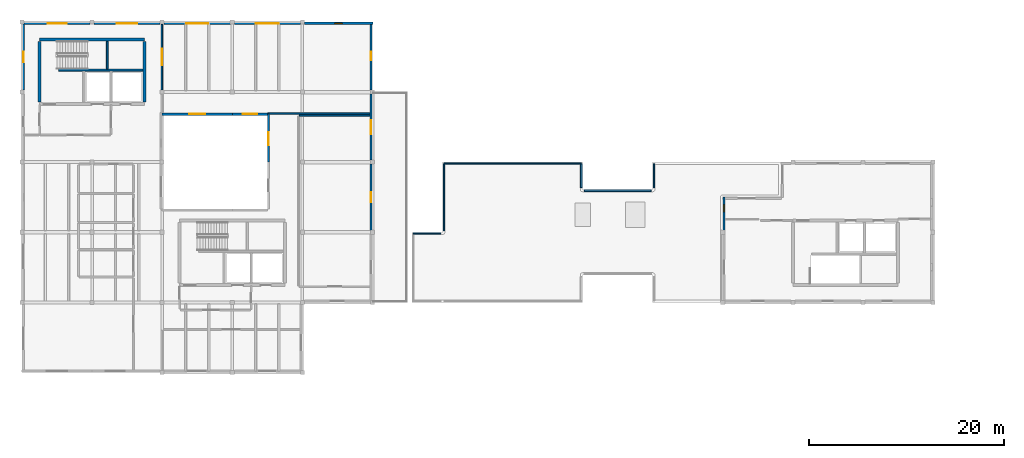
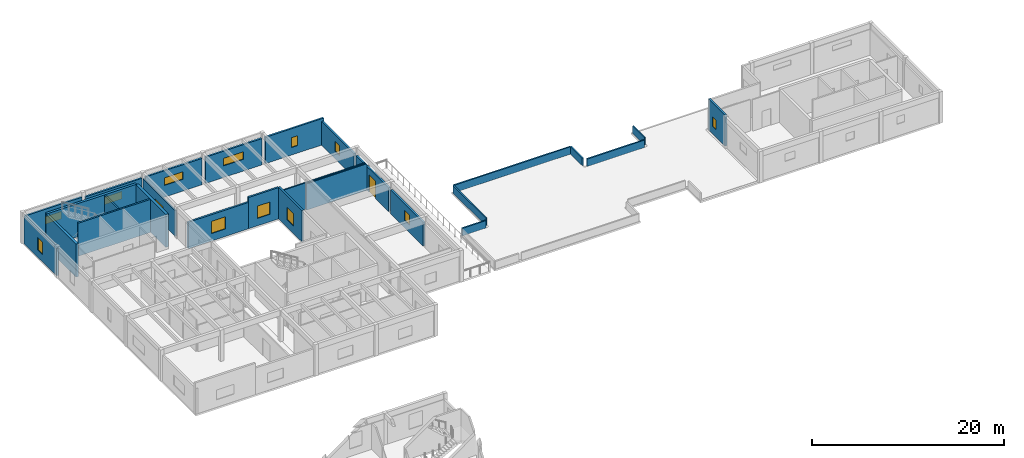
# One storey, part 9 of 15: 27 walls, 12 windows, 2 doors, 14 openings.
"""IFC4 building model written with IfcOpenShell, lengths in metres."""

from ifc_helpers import new_model, si_unit, direction, frame, frame_2d, origin, place, context, subcontext, project, spatial, rectangle, extrude, material, layer, layer_set, type_object, element, fill, save


model = new_model("IFC4")

# Units and contexts
model_context = context("Model", 3, precision=1e-05, world=origin(), true_north=direction((0.0, 1.0)))
body_context = subcontext(model_context, "Body", "Model", "MODEL_VIEW")
ifc_project = project(units=[si_unit("LENGTHUNIT", "METRE"), si_unit("AREAUNIT", "SQUARE_METRE"), si_unit("VOLUMEUNIT", "CUBIC_METRE"), si_unit("PLANEANGLEUNIT", "RADIAN"), si_unit("MASSUNIT", "GRAM", prefix="KILO")], contexts=[model_context])

# Site, building, storey
site_placement = place(None, origin())
site = spatial("IfcSite", under=ifc_project, at=site_placement, CompositionType="ELEMENT")
building_placement = place(site_placement, origin())
building = spatial("IfcBuilding", under=site, at=building_placement, Name="Bramvelor Terrace Health Centre", CompositionType="ELEMENT")
storey_placement = place(building_placement, frame((0.0, 0.0, 13.5)))
storey = spatial("IfcBuildingStorey", under=building, at=storey_placement, Name="L04", CompositionType="ELEMENT", Elevation=13.5)

# Walls
ifc_material_1 = material(Name="Concrete C40/50", Category="concrete")
ifc_layer_1 = layer(ifc_material_1, 0.199951171875)
ifc_layer_set_1 = layer_set([ifc_layer_1], Name="Concrete C40/50")
wall_type_1 = type_object("IfcWallType", Name="WL-CORE-200", PredefinedType="SHEAR", material=ifc_layer_set_1)
wall_1_placement = place(storey_placement, frame((3.75, 110.25, 0.0), z_axis=(0.0, 0.0, 1.0), x_axis=(1.0, 0.0, 0.0)))
element("IfcWall", 1, at=wall_1_placement, inside=storey, type_object=wall_type_1, Name="C1 L04 Core Shear Wall", PredefinedType="SHEAR", context=body_context, shape_type="SweptSolid", body=[
    extrude(rectangle(XDim=8.669921875, YDim=0.199951171875, at=frame_2d((4.3349609375, 0.0))), origin(), (0.0, 0.0, 1.0), 4.199951171875),
])
wall_2_placement = place(storey_placement, frame((8.7548828125, 110.3701171875, 0.0), z_axis=(0.0, 0.0, 1.0), x_axis=(0.0, 1.0, 0.0)))
element("IfcWall", 2, at=wall_2_placement, inside=storey, type_object=wall_type_1, Name="C1 L04 Core Shear Wall", PredefinedType="SHEAR", context=body_context, shape_type="SweptSolid", body=[
    extrude(rectangle(XDim=2.849853515625, YDim=0.199951171875, at=frame_2d((1.4248046875, 0.0))), origin(), (0.0, 0.0, 1.0), 4.199951171875),
])
ifc_material_2 = material(Name="Concrete C40/50", Category="concrete")
ifc_layer_2 = layer(ifc_material_2, 0.300048828125)
ifc_layer_set_2 = layer_set([ifc_layer_2], Name="Concrete C40/50")
wall_type_2 = type_object("IfcWallType", Name="WL-CORE-300", PredefinedType="SHEAR", material=ifc_layer_set_2)
wall_3_placement = place(storey_placement, frame((1.800048828125, 113.39990234375, 0.0), z_axis=(0.0, 0.0, 1.0), x_axis=(1.0, 0.0, 0.0)))
element("IfcWall", 3, at=wall_3_placement, inside=storey, type_object=wall_type_2, Name="C1 L04 Core Shear Wall", PredefinedType="SHEAR", context=body_context, shape_type="SweptSolid", body=[
    extrude(rectangle(XDim=10.800048828125, YDim=0.300048828125, at=frame_2d((5.39990234375, 0.0))), origin(), (0.0, 0.0, 1.0), 4.199951171875),
])
for number, where, z_axis, x_axis, name in (
    (4, (1.800048828125, 106.97998046875, 0.0), (0.0, 0.0, 1.0), (0.0, 1.0, 0.0), "C1 L04 Core Shear Wall"),
    (5, (12.60009765625, 106.97998046875, 0.0), (0.0, 0.0, 1.0), (0.0, 1.0, 0.0), "C1 L04 Core Shear Wall"),
):
    element("IfcWall", number, at=place(storey_placement, frame(where, z_axis=z_axis, x_axis=x_axis)), inside=storey, type_object=wall_type_2, Name=name, PredefinedType="SHEAR", context=body_context, shape_type="SweptSolid", body=[
        extrude(rectangle(XDim=6.239990234375, YDim=0.300048828125, at=frame_2d((3.1201171875, 0.0))), origin(), (0.0, 0.0, 1.0), 4.199951171875),
    ])

# Wall, opening, window
ifc_material_3 = material(Name="Cross-laminated timber C24", Category="wood")
ifc_layer_3 = layer(ifc_material_3, 0.219970703125)
ifc_layer_set_3 = layer_set([ifc_layer_3], Name="Cross-laminated timber C24")
wall_type_3 = type_object("IfcWallType", Name="WL-EXT-CLT220", PredefinedType="SOLIDWALL", material=ifc_layer_set_3)
wall_4_placement = place(storey_placement, frame((72.1298828125, 93.804931640625, 0.0), z_axis=(0.0, 0.0, 1.0), x_axis=(0.0, 1.0, 0.0)))
wall_4 = element("IfcWall", 6, at=wall_4_placement, inside=storey, type_object=wall_type_3, Name="L04 Exterior Facade Wall 27", PredefinedType="SOLIDWALL", context=body_context, shape_type="SweptSolid", body=[
    extrude(rectangle(XDim=3.4150390625, YDim=0.219970703125, at=frame_2d((1.70751953125, 0.0))), origin(), (0.0, 0.0, 1.0), 3.969970703125),
])
opening_1_placement = place(wall_4_placement, frame((1.882568359375, 0.0, 0.949951171875)))
opening_1 = element("IfcOpeningElement", 7, at=opening_1_placement, cuts=wall_4, Name="Opening WN-25", PredefinedType="OPENING", context=body_context, shape_type="SweptSolid", body=[
    extrude(rectangle(XDim=0.75, YDim=1.25, at=frame_2d((0.375, 0.625))), frame((0.0, 0.119873046875, 0.0), z_axis=(0.0, -1.0, 0.0), x_axis=(1.0, 0.0, 0.0)), (0.0, 0.0, 1.0), 0.239990234375),
])
ifc_material_4 = material(Name="Double low-E laminated glass", Category="glass")
window_type_1 = type_object("IfcWindowType", Name="WIN-EXT-25", PartitioningType="SINGLE_PANEL", PredefinedType="WINDOW", material=ifc_material_4)
window_1_placement = place(opening_1_placement, origin())
window_1 = element("IfcWindow", 8, at=window_1_placement, inside=storey, type_object=window_type_1, Name="L04 Scheduled Clinical Window 198", OverallHeight=1.25, OverallWidth=0.75, PartitioningType="SINGLE_PANEL", PredefinedType="WINDOW", context=body_context, shape_type="SweptSolid", body=[
    extrude(rectangle(XDim=0.75, YDim=1.25, at=frame_2d((0.375, 0.625))), frame((0.0, 0.030029296875, 0.0), z_axis=(0.0, -1.0, 0.0), x_axis=(1.0, 0.0, 0.0)), (0.0, 0.0, 1.0), 0.06005859375),
])
fill(opening_1, window_1)

wall_5_placement = place(storey_placement, frame((0.205078125, 115.070068359375, 0.0), z_axis=(0.0, 0.0, 1.0), x_axis=(1.0, 0.0, 0.0)))
wall_5 = element("IfcWall", 9, at=wall_5_placement, inside=storey, type_object=wall_type_3, Name="L04 Exterior Facade Wall 30", PredefinedType="SOLIDWALL", context=body_context, shape_type="SweptSolid", body=[
    extrude(rectangle(XDim=6.7900390625, YDim=0.219970703125, at=frame_2d((3.39501953125, 0.0))), origin(), (0.0, 0.0, 1.0), 3.469970703125),
])
opening_2_placement = place(wall_5_placement, frame((2.419921875, 0.0, 1.5)))
opening_2 = element("IfcOpeningElement", 10, at=opening_2_placement, cuts=wall_5, Name="Opening WN-21", PredefinedType="OPENING", context=body_context, shape_type="SweptSolid", body=[
    extrude(rectangle(XDim=1.949951171875, YDim=0.949951171875, at=frame_2d((0.97509765625, 0.47509765625))), frame((0.0, 0.119873046875, 0.0), z_axis=(0.0, -1.0, 0.0), x_axis=(1.0, 0.0, 0.0)), (0.0, 0.0, 1.0), 0.239990234375),
])
ifc_material_5 = material(Name="Double low-E laminated glass", Category="glass")
window_type_2 = type_object("IfcWindowType", Name="WIN-EXT-21", PartitioningType="SINGLE_PANEL", PredefinedType="WINDOW", material=ifc_material_5)
window_2_placement = place(opening_2_placement, origin())
window_2 = element("IfcWindow", 11, at=window_2_placement, inside=storey, type_object=window_type_2, Name="L04 Scheduled Clinical Window 201", OverallHeight=0.949951171875, OverallWidth=1.949951171875, PartitioningType="SINGLE_PANEL", PredefinedType="WINDOW", context=body_context, shape_type="SweptSolid", body=[
    extrude(rectangle(XDim=1.949951171875, YDim=0.949951171875, at=frame_2d((0.97509765625, 0.47509765625))), frame((0.0, 0.030029296875, 0.0), z_axis=(0.0, -1.0, 0.0), x_axis=(1.0, 0.0, 0.0)), (0.0, 0.0, 1.0), 0.06005859375),
])
fill(opening_2, window_2)

wall_6_placement = place(storey_placement, frame((7.405029296875, 115.070068359375, 0.0), z_axis=(0.0, 0.0, 1.0), x_axis=(1.0, 0.0, 0.0)))
wall_6 = element("IfcWall", 12, at=wall_6_placement, inside=storey, type_object=wall_type_3, Name="L04 Exterior Facade Wall 31", PredefinedType="SOLIDWALL", context=body_context, shape_type="SweptSolid", body=[
    extrude(rectangle(XDim=6.7900390625, YDim=0.219970703125, at=frame_2d((3.39501953125, 0.0))), origin(), (0.0, 0.0, 1.0), 3.35009765625),
])
opening_3_placement = place(wall_6_placement, frame((2.344970703125, 0.0, 1.5)))
opening_3 = element("IfcOpeningElement", 13, at=opening_3_placement, cuts=wall_6, Name="Opening WN-22", PredefinedType="OPENING", context=body_context, shape_type="SweptSolid", body=[
    extrude(rectangle(XDim=2.10009765625, YDim=0.949951171875, at=frame_2d((1.050048828125, 0.47509765625))), frame((0.0, 0.119873046875, 0.0), z_axis=(0.0, -1.0, 0.0), x_axis=(1.0, 0.0, 0.0)), (0.0, 0.0, 1.0), 0.239990234375),
])
ifc_material_6 = material(Name="Double low-E laminated glass", Category="glass")
window_type_3 = type_object("IfcWindowType", Name="WIN-EXT-22", PartitioningType="SINGLE_PANEL", PredefinedType="WINDOW", material=ifc_material_6)
window_3_placement = place(opening_3_placement, origin())
window_3 = element("IfcWindow", 14, at=window_3_placement, inside=storey, type_object=window_type_3, Name="L04 Scheduled Clinical Window 202", OverallHeight=0.949951171875, OverallWidth=2.10009765625, PartitioningType="SINGLE_PANEL", PredefinedType="WINDOW", context=body_context, shape_type="SweptSolid", body=[
    extrude(rectangle(XDim=2.10009765625, YDim=0.949951171875, at=frame_2d((1.050048828125, 0.47509765625))), frame((0.0, 0.030029296875, 0.0), z_axis=(0.0, -1.0, 0.0), x_axis=(1.0, 0.0, 0.0)), (0.0, 0.0, 1.0), 0.06005859375),
])
fill(opening_3, window_3)

wall_7_placement = place(storey_placement, frame((14.60498046875, 115.070068359375, 0.0), z_axis=(0.0, 0.0, 1.0), x_axis=(1.0, 0.0, 0.0)))
wall_7 = element("IfcWall", 15, at=wall_7_placement, inside=storey, type_object=wall_type_3, Name="L04 Exterior Facade Wall 32", PredefinedType="SOLIDWALL", context=body_context, shape_type="SweptSolid", body=[
    extrude(rectangle(XDim=6.7900390625, YDim=0.219970703125, at=frame_2d((3.39501953125, 0.0))), origin(), (0.0, 0.0, 1.0), 3.35009765625),
])
opening_4_placement = place(wall_7_placement, frame((2.27001953125, 0.0, 1.5)))
opening_4 = element("IfcOpeningElement", 16, at=opening_4_placement, cuts=wall_7, Name="Opening WN-23", PredefinedType="OPENING", context=body_context, shape_type="SweptSolid", body=[
    extrude(rectangle(XDim=2.25, YDim=0.949951171875, at=frame_2d((1.125, 0.47509765625))), frame((0.0, 0.119873046875, 0.0), z_axis=(0.0, -1.0, 0.0), x_axis=(1.0, 0.0, 0.0)), (0.0, 0.0, 1.0), 0.239990234375),
])
ifc_material_7 = material(Name="Double low-E laminated glass", Category="glass")
window_type_4 = type_object("IfcWindowType", Name="WIN-EXT-23", PartitioningType="SINGLE_PANEL", PredefinedType="WINDOW", material=ifc_material_7)
window_4_placement = place(opening_4_placement, origin())
window_4 = element("IfcWindow", 17, at=window_4_placement, inside=storey, type_object=window_type_4, Name="L04 Scheduled Clinical Window 203", OverallHeight=0.949951171875, OverallWidth=2.25, PartitioningType="SINGLE_PANEL", PredefinedType="WINDOW", context=body_context, shape_type="SweptSolid", body=[
    extrude(rectangle(XDim=2.25, YDim=0.949951171875, at=frame_2d((1.125, 0.47509765625))), frame((0.0, 0.030029296875, 0.0), z_axis=(0.0, -1.0, 0.0), x_axis=(1.0, 0.0, 0.0)), (0.0, 0.0, 1.0), 0.06005859375),
])
fill(opening_4, window_4)

wall_8_placement = place(storey_placement, frame((21.804931640625, 115.070068359375, 0.0), z_axis=(0.0, 0.0, 1.0), x_axis=(1.0, 0.0, 0.0)))
wall_8 = element("IfcWall", 18, at=wall_8_placement, inside=storey, type_object=wall_type_3, Name="L04 Exterior Facade Wall 33", PredefinedType="SOLIDWALL", context=body_context, shape_type="SweptSolid", body=[
    extrude(rectangle(XDim=6.7900390625, YDim=0.219970703125, at=frame_2d((3.39501953125, 0.0))), origin(), (0.0, 0.0, 1.0), 3.35009765625),
])
opening_5_placement = place(wall_8_placement, frame((2.195068359375, 0.0, 1.5)))
opening_5 = element("IfcOpeningElement", 19, at=opening_5_placement, cuts=wall_8, Name="Opening WN-24", PredefinedType="OPENING", context=body_context, shape_type="SweptSolid", body=[
    extrude(rectangle(XDim=2.39990234375, YDim=0.949951171875, at=frame_2d((1.199951171875, 0.47509765625))), frame((0.0, 0.119873046875, 0.0), z_axis=(0.0, -1.0, 0.0), x_axis=(1.0, 0.0, 0.0)), (0.0, 0.0, 1.0), 0.239990234375),
])
ifc_material_8 = material(Name="Double low-E laminated glass", Category="glass")
window_type_5 = type_object("IfcWindowType", Name="WIN-EXT-24", PartitioningType="SINGLE_PANEL", PredefinedType="WINDOW", material=ifc_material_8)
window_5_placement = place(opening_5_placement, origin())
window_5 = element("IfcWindow", 20, at=window_5_placement, inside=storey, type_object=window_type_5, Name="L04 Scheduled Clinical Window 204", OverallHeight=0.949951171875, OverallWidth=2.39990234375, PartitioningType="SINGLE_PANEL", PredefinedType="WINDOW", context=body_context, shape_type="SweptSolid", body=[
    extrude(rectangle(XDim=2.39990234375, YDim=0.949951171875, at=frame_2d((1.199951171875, 0.47509765625))), frame((0.0, 0.030029296875, 0.0), z_axis=(0.0, -1.0, 0.0), x_axis=(1.0, 0.0, 0.0)), (0.0, 0.0, 1.0), 0.06005859375),
])
fill(opening_5, window_5)

wall_9_placement = place(storey_placement, frame((29.0048828125, 115.070068359375, 0.0), z_axis=(0.0, 0.0, 1.0), x_axis=(1.0, 0.0, 0.0)))
wall_9 = element("IfcWall", 21, at=wall_9_placement, inside=storey, type_object=wall_type_3, Name="L04 Exterior Facade Wall 34", PredefinedType="SOLIDWALL", context=body_context, shape_type="SweptSolid", body=[
    extrude(rectangle(XDim=7.03515625, YDim=0.219970703125, at=frame_2d((3.517578125, 0.0))), origin(), (0.0, 0.0, 1.0), 3.35009765625),
])
opening_6_placement = place(wall_9_placement, frame((3.142578125, 0.0, 0.949951171875)))
opening_6 = element("IfcOpeningElement", 22, at=opening_6_placement, cuts=wall_9, Name="Opening WN-25", PredefinedType="OPENING", context=body_context, shape_type="SweptSolid", body=[
    extrude(rectangle(XDim=0.75, YDim=1.25, at=frame_2d((0.375, 0.625))), frame((0.0, 0.119873046875, 0.0), z_axis=(0.0, -1.0, 0.0), x_axis=(1.0, 0.0, 0.0)), (0.0, 0.0, 1.0), 0.239990234375),
])
window_6_placement = place(opening_6_placement, origin())
window_6 = element("IfcWindow", 23, at=window_6_placement, inside=storey, type_object=window_type_1, Name="L04 Scheduled Clinical Window 205", OverallHeight=1.25, OverallWidth=0.75, PartitioningType="SINGLE_PANEL", PredefinedType="WINDOW", context=body_context, shape_type="SweptSolid", body=[
    extrude(rectangle(XDim=0.75, YDim=1.25, at=frame_2d((0.375, 0.625))), frame((0.0, 0.030029296875, 0.0), z_axis=(0.0, -1.0, 0.0), x_axis=(1.0, 0.0, 0.0)), (0.0, 0.0, 1.0), 0.06005859375),
])
fill(opening_6, window_6)

wall_10_placement = place(storey_placement, frame((35.8701171875, 115.219970703125, 0.0), z_axis=(0.0, 0.0, 1.0), x_axis=(0.0, -1.0, 0.0)))
wall_10 = element("IfcWall", 24, at=wall_10_placement, inside=storey, type_object=wall_type_3, Name="L04 Exterior Facade Wall 35", PredefinedType="SOLIDWALL", context=body_context, shape_type="SweptSolid", body=[
    extrude(rectangle(XDim=7.014892578125, YDim=0.219970703125, at=frame_2d((3.50732421875, 0.0))), origin(), (0.0, 0.0, 1.0), 3.030029296875),
])
opening_7_placement = place(wall_10_placement, frame((3.0576171875, 0.0, 0.949951171875)))
opening_7 = element("IfcOpeningElement", 25, at=opening_7_placement, cuts=wall_10, Name="Opening WN-26", PredefinedType="OPENING", context=body_context, shape_type="SweptSolid", body=[
    extrude(rectangle(XDim=0.89990234375, YDim=1.25, at=frame_2d((0.449951171875, 0.625))), frame((0.0, 0.119873046875, 0.0), z_axis=(0.0, -1.0, 0.0), x_axis=(1.0, 0.0, 0.0)), (0.0, 0.0, 1.0), 0.239990234375),
])
ifc_material_9 = material(Name="Double low-E laminated glass", Category="glass")
window_type_6 = type_object("IfcWindowType", Name="WIN-EXT-26", PartitioningType="SINGLE_PANEL", PredefinedType="WINDOW", material=ifc_material_9)
window_7_placement = place(opening_7_placement, origin())
window_7 = element("IfcWindow", 26, at=window_7_placement, inside=storey, type_object=window_type_6, Name="L04 Scheduled Clinical Window 206", OverallHeight=1.25, OverallWidth=0.89990234375, PartitioningType="SINGLE_PANEL", PredefinedType="WINDOW", context=body_context, shape_type="SweptSolid", body=[
    extrude(rectangle(XDim=0.89990234375, YDim=1.25, at=frame_2d((0.449951171875, 0.625))), frame((0.0, 0.030029296875, 0.0), z_axis=(0.0, -1.0, 0.0), x_axis=(1.0, 0.0, 0.0)), (0.0, 0.0, 1.0), 0.06005859375),
])
fill(opening_7, window_7)

# Wall, opening, door
wall_11_placement = place(storey_placement, frame((35.8701171875, 107.794921875, 0.0), z_axis=(0.0, 0.0, 1.0), x_axis=(0.0, -1.0, 0.0)))
wall_11 = element("IfcWall", 27, at=wall_11_placement, inside=storey, type_object=wall_type_3, Name="L04 Exterior Facade Wall 36", PredefinedType="SOLIDWALL", context=body_context, shape_type="SweptSolid", body=[
    extrude(rectangle(XDim=6.7900390625, YDim=0.219970703125, at=frame_2d((3.39501953125, 0.0))), origin(), (0.0, 0.0, 1.0), 3.030029296875),
])
opening_8_placement = place(wall_11_placement, frame((2.669921875, 0.0, 0.0)))
opening_8 = element("IfcOpeningElement", 28, at=opening_8_placement, cuts=wall_11, Name="Opening ED-09", PredefinedType="OPENING", context=body_context, shape_type="SweptSolid", body=[
    extrude(rectangle(XDim=1.449951171875, YDim=2.25, at=frame_2d((0.72509765625, 1.125))), frame((0.0, 0.119873046875, 0.0), z_axis=(0.0, -1.0, 0.0), x_axis=(1.0, 0.0, 0.0)), (0.0, 0.0, 1.0), 0.239990234375),
])
ifc_material_10 = material(Name="Anodized aluminium and laminated glass", Category="aluminium")
door_type_1 = type_object("IfcDoorType", Name="DR-EXT-TER-145", OperationType="DOUBLE_DOOR_SINGLE_SWING", PredefinedType="DOOR", material=ifc_material_10)
door_1_placement = place(opening_8_placement, origin())
door_1 = element("IfcDoor", 29, at=door_1_placement, inside=storey, type_object=door_type_1, Name="L04 Exterior Door 14", OperationType="DOUBLE_DOOR_SINGLE_SWING", OverallHeight=2.25, OverallWidth=1.449951171875, PredefinedType="DOOR", context=body_context, shape_type="SweptSolid", body=[
    extrude(rectangle(XDim=1.449951171875, YDim=2.25, at=frame_2d((0.72509765625, 1.125))), frame((0.0, 0.02490234375, 0.0), z_axis=(0.0, -1.0, 0.0), x_axis=(1.0, 0.0, 0.0)), (0.0, 0.0, 1.0), 0.050048828125),
])
fill(opening_8, door_1)

# Wall, opening, window
wall_12_placement = place(storey_placement, frame((35.8701171875, 100.594970703125, 0.0), z_axis=(0.0, 0.0, 1.0), x_axis=(0.0, -1.0, 0.0)))
wall_12 = element("IfcWall", 30, at=wall_12_placement, inside=storey, type_object=wall_type_3, Name="L04 Exterior Facade Wall 37", PredefinedType="SOLIDWALL", context=body_context, shape_type="SweptSolid", body=[
    extrude(rectangle(XDim=6.7900390625, YDim=0.219970703125, at=frame_2d((3.39501953125, 0.0))), origin(), (0.0, 0.0, 1.0), 3.030029296875),
])
opening_9_placement = place(wall_12_placement, frame((2.8701171875, 0.0, 0.949951171875)))
opening_9 = element("IfcOpeningElement", 31, at=opening_9_placement, cuts=wall_12, Name="Opening WN-27", PredefinedType="OPENING", context=body_context, shape_type="SweptSolid", body=[
    extrude(rectangle(XDim=1.050048828125, YDim=1.25, at=frame_2d((0.52490234375, 0.625))), frame((0.0, 0.119873046875, 0.0), z_axis=(0.0, -1.0, 0.0), x_axis=(1.0, 0.0, 0.0)), (0.0, 0.0, 1.0), 0.239990234375),
])
ifc_material_11 = material(Name="Double low-E laminated glass", Category="glass")
window_type_7 = type_object("IfcWindowType", Name="WIN-EXT-27", PartitioningType="SINGLE_PANEL", PredefinedType="WINDOW", material=ifc_material_11)
window_8_placement = place(opening_9_placement, origin())
window_8 = element("IfcWindow", 32, at=window_8_placement, inside=storey, type_object=window_type_7, Name="L04 Scheduled Clinical Window 207", OverallHeight=1.25, OverallWidth=1.050048828125, PartitioningType="SINGLE_PANEL", PredefinedType="WINDOW", context=body_context, shape_type="SweptSolid", body=[
    extrude(rectangle(XDim=1.050048828125, YDim=1.25, at=frame_2d((0.52490234375, 0.625))), frame((0.0, 0.030029296875, 0.0), z_axis=(0.0, -1.0, 0.0), x_axis=(1.0, 0.0, 0.0)), (0.0, 0.0, 1.0), 0.06005859375),
])
fill(opening_9, window_8)

wall_13_placement = place(storey_placement, frame((0.1298828125, 108.205078125, 0.0), z_axis=(0.0, 0.0, 1.0), x_axis=(0.0, 1.0, 0.0)))
wall_13 = element("IfcWall", 33, at=wall_13_placement, inside=storey, type_object=wall_type_3, Name="L04 Exterior Facade Wall 49", PredefinedType="SOLIDWALL", context=body_context, shape_type="SweptSolid", body=[
    extrude(rectangle(XDim=6.7900390625, YDim=0.219970703125, at=frame_2d((3.39501953125, 0.0))), origin(), (0.0, 0.0, 1.0), 3.469970703125),
])
opening_10_placement = place(wall_13_placement, frame((2.8701171875, 0.0, 0.949951171875)))
opening_10 = element("IfcOpeningElement", 34, at=opening_10_placement, cuts=wall_13, Name="Opening WN-39", PredefinedType="OPENING", context=body_context, shape_type="SweptSolid", body=[
    extrude(rectangle(XDim=1.050048828125, YDim=1.550048828125, at=frame_2d((0.52490234375, 0.77490234375))), frame((0.0, 0.119873046875, 0.0), z_axis=(0.0, -1.0, 0.0), x_axis=(1.0, 0.0, 0.0)), (0.0, 0.0, 1.0), 0.239990234375),
])
ifc_material_12 = material(Name="Double low-E laminated glass", Category="glass")
window_type_8 = type_object("IfcWindowType", Name="WIN-EXT-39", PartitioningType="SINGLE_PANEL", PredefinedType="WINDOW", material=ifc_material_12)
window_9_placement = place(opening_10_placement, origin())
window_9 = element("IfcWindow", 35, at=window_9_placement, inside=storey, type_object=window_type_8, Name="L04 Scheduled Clinical Window 219", OverallHeight=1.550048828125, OverallWidth=1.050048828125, PartitioningType="SINGLE_PANEL", PredefinedType="WINDOW", context=body_context, shape_type="SweptSolid", body=[
    extrude(rectangle(XDim=1.050048828125, YDim=1.550048828125, at=frame_2d((0.52490234375, 0.77490234375))), frame((0.0, 0.030029296875, 0.0), z_axis=(0.0, -1.0, 0.0), x_axis=(1.0, 0.0, 0.0)), (0.0, 0.0, 1.0), 0.06005859375),
])
fill(opening_10, window_9)

wall_14_placement = place(storey_placement, frame((25.330078125, 100.800048828125, 0.0), z_axis=(0.0, 0.0, 1.0), x_axis=(0.0, 1.0, 0.0)))
wall_14 = element("IfcWall", 36, at=wall_14_placement, inside=storey, type_object=wall_type_3, Name="L04 Exterior Facade Wall 51", PredefinedType="SOLIDWALL", context=body_context, shape_type="SweptSolid", body=[
    extrude(rectangle(XDim=4.930908203125, YDim=0.219970703125, at=frame_2d((2.46533203125, 0.0))), origin(), (0.0, 0.0, 1.0), 3.969970703125),
])
opening_11_placement = place(wall_14_placement, frame((1.735107421875, 0.0, 0.949951171875)))
opening_11 = element("IfcOpeningElement", 37, at=opening_11_placement, cuts=wall_14, Name="Opening WN-41", PredefinedType="OPENING", context=body_context, shape_type="SweptSolid", body=[
    extrude(rectangle(XDim=1.35009765625, YDim=1.550048828125, at=frame_2d((0.675048828125, 0.77490234375))), frame((0.0, 0.119873046875, 0.0), z_axis=(0.0, -1.0, 0.0), x_axis=(1.0, 0.0, 0.0)), (0.0, 0.0, 1.0), 0.239990234375),
])
ifc_material_13 = material(Name="Double low-E laminated glass", Category="glass")
window_type_9 = type_object("IfcWindowType", Name="WIN-EXT-41", PartitioningType="SINGLE_PANEL", PredefinedType="WINDOW", material=ifc_material_13)
window_10_placement = place(opening_11_placement, origin())
window_10 = element("IfcWindow", 38, at=window_10_placement, inside=storey, type_object=window_type_9, Name="L04 Scheduled Clinical Window 221", OverallHeight=1.550048828125, OverallWidth=1.35009765625, PartitioningType="SINGLE_PANEL", PredefinedType="WINDOW", context=body_context, shape_type="SweptSolid", body=[
    extrude(rectangle(XDim=1.35009765625, YDim=1.550048828125, at=frame_2d((0.675048828125, 0.77490234375))), frame((0.0, 0.030029296875, 0.0), z_axis=(0.0, -1.0, 0.0), x_axis=(1.0, 0.0, 0.0)), (0.0, 0.0, 1.0), 0.06005859375),
])
fill(opening_11, window_10)

wall_15_placement = place(storey_placement, frame((25.239990234375, 105.72998046875, 0.0), z_axis=(0.0, 0.0, 1.0), x_axis=(-1.0, 0.0, 0.0)))
wall_15 = element("IfcWall", 39, at=wall_15_placement, inside=storey, type_object=wall_type_3, Name="L04 Exterior Facade Wall 52", PredefinedType="SOLIDWALL", context=body_context, shape_type="SweptSolid", body=[
    extrude(rectangle(XDim=3.639892578125, YDim=0.219970703125, at=frame_2d((1.81982421875, 0.0))), origin(), (0.0, 0.0, 1.0), 3.969970703125),
])
opening_12_placement = place(wall_15_placement, frame((1.070068359375, 0.0, 0.949951171875)))
opening_12 = element("IfcOpeningElement", 40, at=opening_12_placement, cuts=wall_15, Name="Opening WN-42", PredefinedType="OPENING", context=body_context, shape_type="SweptSolid", body=[
    extrude(rectangle(XDim=1.5, YDim=1.550048828125, at=frame_2d((0.75, 0.77490234375))), frame((0.0, 0.119873046875, 0.0), z_axis=(0.0, -1.0, 0.0), x_axis=(1.0, 0.0, 0.0)), (0.0, 0.0, 1.0), 0.239990234375),
])
ifc_material_14 = material(Name="Double low-E laminated glass", Category="glass")
window_type_10 = type_object("IfcWindowType", Name="WIN-EXT-42", PartitioningType="SINGLE_PANEL", PredefinedType="WINDOW", material=ifc_material_14)
window_11_placement = place(opening_12_placement, origin())
window_11 = element("IfcWindow", 41, at=window_11_placement, inside=storey, type_object=window_type_10, Name="L04 Scheduled Clinical Window 222", OverallHeight=1.550048828125, OverallWidth=1.5, PartitioningType="SINGLE_PANEL", PredefinedType="WINDOW", context=body_context, shape_type="SweptSolid", body=[
    extrude(rectangle(XDim=1.5, YDim=1.550048828125, at=frame_2d((0.75, 0.77490234375))), frame((0.0, 0.030029296875, 0.0), z_axis=(0.0, -1.0, 0.0), x_axis=(1.0, 0.0, 0.0)), (0.0, 0.0, 1.0), 0.06005859375),
])
fill(opening_12, window_11)

wall_16_placement = place(storey_placement, frame((21.60009765625, 105.72998046875, 0.0), z_axis=(0.0, 0.0, 1.0), x_axis=(-1.0, 0.0, 0.0)))
wall_16 = element("IfcWall", 42, at=wall_16_placement, inside=storey, type_object=wall_type_3, Name="L04 Exterior Facade Wall 53", PredefinedType="SOLIDWALL", context=body_context, shape_type="SweptSolid", body=[
    extrude(rectangle(XDim=7.239990234375, YDim=0.219970703125, at=frame_2d((3.6201171875, 0.0))), origin(), (0.0, 0.0, 1.0), 3.35009765625),
])
opening_13_placement = place(wall_16_placement, frame((2.794921875, 0.0, 0.949951171875)))
opening_13 = element("IfcOpeningElement", 43, at=opening_13_placement, cuts=wall_16, Name="Opening WN-43", PredefinedType="OPENING", context=body_context, shape_type="SweptSolid", body=[
    extrude(rectangle(XDim=1.64990234375, YDim=1.550048828125, at=frame_2d((0.824951171875, 0.77490234375))), frame((0.0, 0.119873046875, 0.0), z_axis=(0.0, -1.0, 0.0), x_axis=(1.0, 0.0, 0.0)), (0.0, 0.0, 1.0), 0.239990234375),
])
ifc_material_15 = material(Name="Double low-E laminated glass", Category="glass")
window_type_11 = type_object("IfcWindowType", Name="WIN-EXT-43", PartitioningType="SINGLE_PANEL", PredefinedType="WINDOW", material=ifc_material_15)
window_12_placement = place(opening_13_placement, origin())
window_12 = element("IfcWindow", 44, at=window_12_placement, inside=storey, type_object=window_type_11, Name="L04 Scheduled Clinical Window 223", OverallHeight=1.550048828125, OverallWidth=1.64990234375, PartitioningType="SINGLE_PANEL", PredefinedType="WINDOW", context=body_context, shape_type="SweptSolid", body=[
    extrude(rectangle(XDim=1.64990234375, YDim=1.550048828125, at=frame_2d((0.824951171875, 0.77490234375))), frame((0.0, 0.030029296875, 0.0), z_axis=(0.0, -1.0, 0.0), x_axis=(1.0, 0.0, 0.0)), (0.0, 0.0, 1.0), 0.06005859375),
])
fill(opening_13, window_12)

# Walls
ifc_material_16 = material(Name="Fire-rated gypsum and mineral wool", Category="gypsum")
ifc_layer_4 = layer(ifc_material_16, 0.14990234375)
ifc_layer_set_4 = layer_set([ifc_layer_4], Name="Fire-rated gypsum and mineral wool")
wall_type_4 = type_object("IfcWallType", Name="WL-FIR-150", PredefinedType="PARTITIONING", material=ifc_layer_set_4)
wall_17_placement = place(storey_placement, frame((28.489990234375, 105.60009765625, 0.0), z_axis=(0.0, 0.0, 1.0), x_axis=(1.0, 0.0, 0.0)))
element("IfcWall", 45, at=wall_17_placement, inside=storey, type_object=wall_type_4, Name="L04 Interior Partition 302", PredefinedType="PARTITIONING", context=body_context, shape_type="SweptSolid", body=[
    extrude(rectangle(XDim=7.260009765625, YDim=0.14990234375, at=frame_2d((3.6298828125, 0.0))), origin(), (0.0, 0.0, 1.0), 3.35009765625),
])
wall_18_placement = place(storey_placement, frame((35.75, 105.800048828125, 0.0), z_axis=(0.0, 0.0, 1.0), x_axis=(-1.0, 0.0, 0.0)))
element("IfcWall", 46, at=wall_18_placement, inside=storey, type_object=wall_type_4, Name="L04 Interior Partition 305", PredefinedType="PARTITIONING", context=body_context, shape_type="SweptSolid", body=[
    extrude(rectangle(XDim=10.480712890625, YDim=0.14990234375, at=frame_2d((5.240234375, 0.0))), origin(), (0.0, 0.0, 1.0), 3.35009765625),
])

# Wall, opening, door
wall_19_placement = place(storey_placement, frame((14.3701171875, 108.22509765625, 0.0), z_axis=(0.0, 0.0, 1.0), x_axis=(0.0, 1.0, 0.0)))
wall_19 = element("IfcWall", 47, at=wall_19_placement, inside=storey, type_object=wall_type_4, Name="L04 Interior Partition 307", PredefinedType="PARTITIONING", context=body_context, shape_type="SweptSolid", body=[
    extrude(rectangle(XDim=6.744873046875, YDim=0.14990234375, at=frame_2d((3.37255859375, 0.0))), origin(), (0.0, 0.0, 1.0), 3.27001953125),
])
opening_14_placement = place(wall_19_placement, frame((2.512451171875, 0.0, 0.0)))
opening_14 = element("IfcOpeningElement", 48, at=opening_14_placement, cuts=wall_19, Name="Opening FD-04", PredefinedType="OPENING", context=body_context, shape_type="SweptSolid", body=[
    extrude(rectangle(XDim=1.719970703125, YDim=2.260009765625, at=frame_2d((0.85986328125, 1.1298828125))), frame((0.0, 0.0849609375, 0.0), z_axis=(0.0, -1.0, 0.0), x_axis=(1.0, 0.0, 0.0)), (0.0, 0.0, 1.0), 0.169921875),
])
ifc_material_17 = material(Name="Fire-rated steel and vision panel", Category="steel")
door_type_2 = type_object("IfcDoorType", Name="DR-FD90-172", OperationType="DOUBLE_DOOR_SINGLE_SWING", PredefinedType="DOOR", material=ifc_material_17)
door_2_placement = place(opening_14_placement, origin())
door_2 = element("IfcDoor", 49, at=door_2_placement, inside=storey, type_object=door_type_2, Name="L04 Respiratory Isolation Clinic Fire Door", OperationType="DOUBLE_DOOR_SINGLE_SWING", OverallHeight=2.260009765625, OverallWidth=1.719970703125, PredefinedType="DOOR", context=body_context, shape_type="SweptSolid", body=[
    extrude(rectangle(XDim=1.719970703125, YDim=2.260009765625, at=frame_2d((0.85986328125, 1.1298828125))), frame((0.0, 0.02490234375, 0.0), z_axis=(0.0, -1.0, 0.0), x_axis=(1.0, 0.0, 0.0)), (0.0, 0.0, 1.0), 0.050048828125),
])
fill(opening_14, door_2)

# Walls
ifc_material_18 = material(Name="Precast concrete C40/50", Category="concrete")
ifc_layer_5 = layer(ifc_material_18, 0.155029296875)
ifc_layer_set_5 = layer_set([ifc_layer_5], Name="Precast concrete C40/50")
wall_type_5 = type_object("IfcWallType", Name="WL-PAR-155", PredefinedType="PARAPET", material=ifc_layer_set_5)
wall_20_placement = place(storey_placement, frame((64.93994140625, 98.159912109375, 0.0), z_axis=(0.0, 0.0, 1.0), x_axis=(0.0, 1.0, 0.0)))
element("IfcWall", 50, at=wall_20_placement, inside=storey, type_object=wall_type_5, Name="L04 Roof Parapet Upstand 19", PredefinedType="PARAPET", context=body_context, shape_type="SweptSolid", body=[
    extrude(rectangle(XDim=2.47998046875, YDim=0.155029296875, at=frame_2d((1.239990234375, 0.0))), origin(), (0.0, 0.0, 1.0), 0.949951171875),
])
wall_21_placement = place(storey_placement, frame((43.340087890625, 93.760009765625, 0.0), z_axis=(0.0, 0.0, 1.0), x_axis=(0.0, 1.0, 0.0)))
element("IfcWall", 51, at=wall_21_placement, inside=storey, type_object=wall_type_5, Name="L04 Roof Parapet Upstand 27", PredefinedType="PARAPET", context=body_context, shape_type="SweptSolid", body=[
    extrude(rectangle(XDim=6.8798828125, YDim=0.155029296875, at=frame_2d((3.43994140625, 0.0))), origin(), (0.0, 0.0, 1.0), 0.949951171875),
])
wall_22_placement = place(storey_placement, frame((57.4599609375, 100.639892578125, 0.0), z_axis=(0.0, 0.0, 1.0), x_axis=(0.0, -1.0, 0.0)))
element("IfcWall", 52, at=wall_22_placement, inside=storey, type_object=wall_type_5, Name="L04 Roof Parapet Upstand 29", PredefinedType="PARAPET", context=body_context, shape_type="SweptSolid", body=[
    extrude(rectangle(XDim=2.47998046875, YDim=0.155029296875, at=frame_2d((1.239990234375, 0.0))), origin(), (0.0, 0.0, 1.0), 0.949951171875),
])
ifc_material_19 = material(Name="Precast concrete C40/50", Category="concrete")
ifc_layer_6 = layer(ifc_material_19, 0.175048828125)
ifc_layer_set_6 = layer_set([ifc_layer_6], Name="Precast concrete C40/50")
wall_type_6 = type_object("IfcWallType", Name="WL-PAR-175", PredefinedType="PARAPET", material=ifc_layer_set_6)
wall_23_placement = place(storey_placement, frame((40.2099609375, 93.4599609375, 0.0), z_axis=(0.0, 0.0, 1.0), x_axis=(1.0, 0.0, 0.0)))
element("IfcWall", 53, at=wall_23_placement, inside=storey, type_object=wall_type_6, Name="L04 Roof Parapet Upstand 26", PredefinedType="PARAPET", context=body_context, shape_type="SweptSolid", body=[
    extrude(rectangle(XDim=2.830078125, YDim=0.175048828125, at=frame_2d((1.4150390625, 0.0))), origin(), (0.0, 0.0, 1.0), 0.949951171875),
])
wall_24_placement = place(storey_placement, frame((43.360107421875, 100.659912109375, 0.0), z_axis=(0.0, 0.0, 1.0), x_axis=(1.0, 0.0, 0.0)))
element("IfcWall", 54, at=wall_24_placement, inside=storey, type_object=wall_type_6, Name="L04 Roof Parapet Upstand 28", PredefinedType="PARAPET", context=body_context, shape_type="SweptSolid", body=[
    extrude(rectangle(XDim=14.079833984375, YDim=0.175048828125, at=frame_2d((7.0400390625, 0.0))), origin(), (0.0, 0.0, 1.0), 0.949951171875),
])
wall_25_placement = place(storey_placement, frame((57.760009765625, 97.860107421875, 0.0), z_axis=(0.0, 0.0, 1.0), x_axis=(1.0, 0.0, 0.0)))
element("IfcWall", 55, at=wall_25_placement, inside=storey, type_object=wall_type_6, Name="L04 Roof Parapet Upstand 30", PredefinedType="PARAPET", context=body_context, shape_type="SweptSolid", body=[
    extrude(rectangle(XDim=6.8798828125, YDim=0.175048828125, at=frame_2d((3.43994140625, 0.0))), origin(), (0.0, 0.0, 1.0), 0.949951171875),
])

save(model, "model.ifc")
